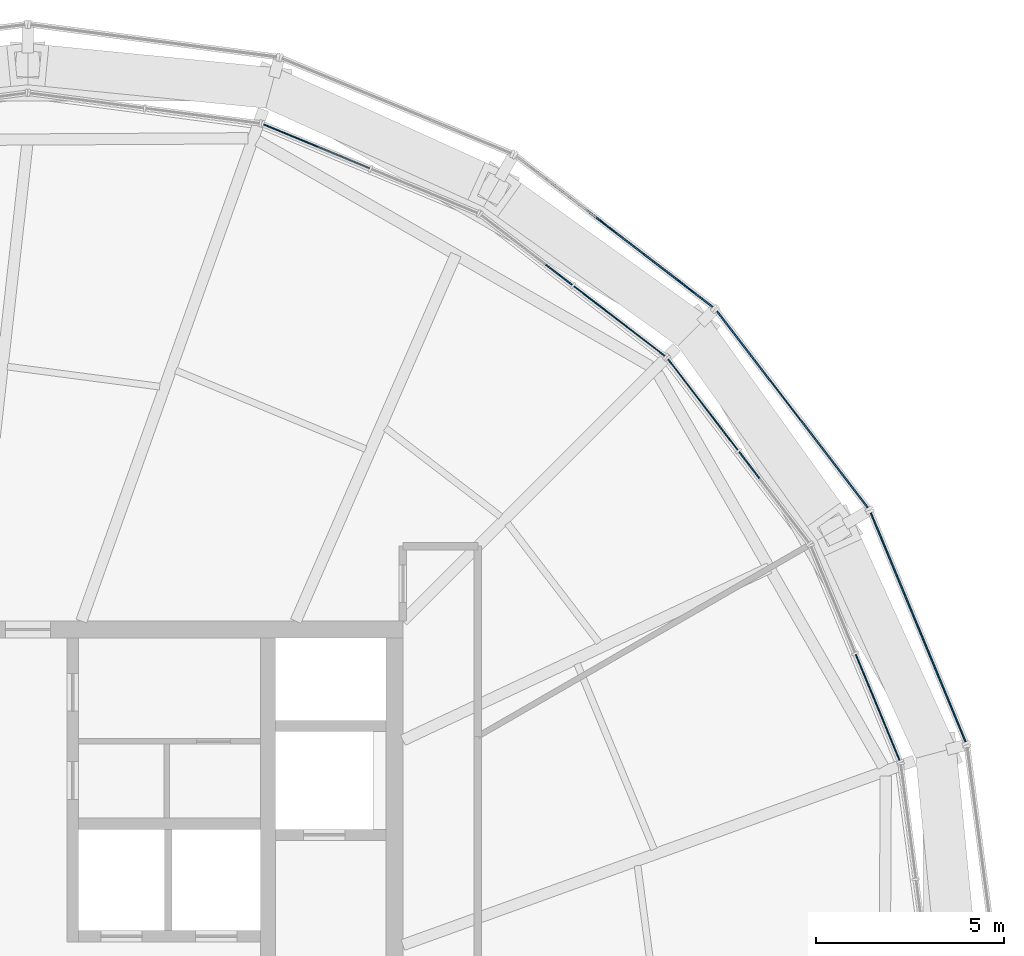
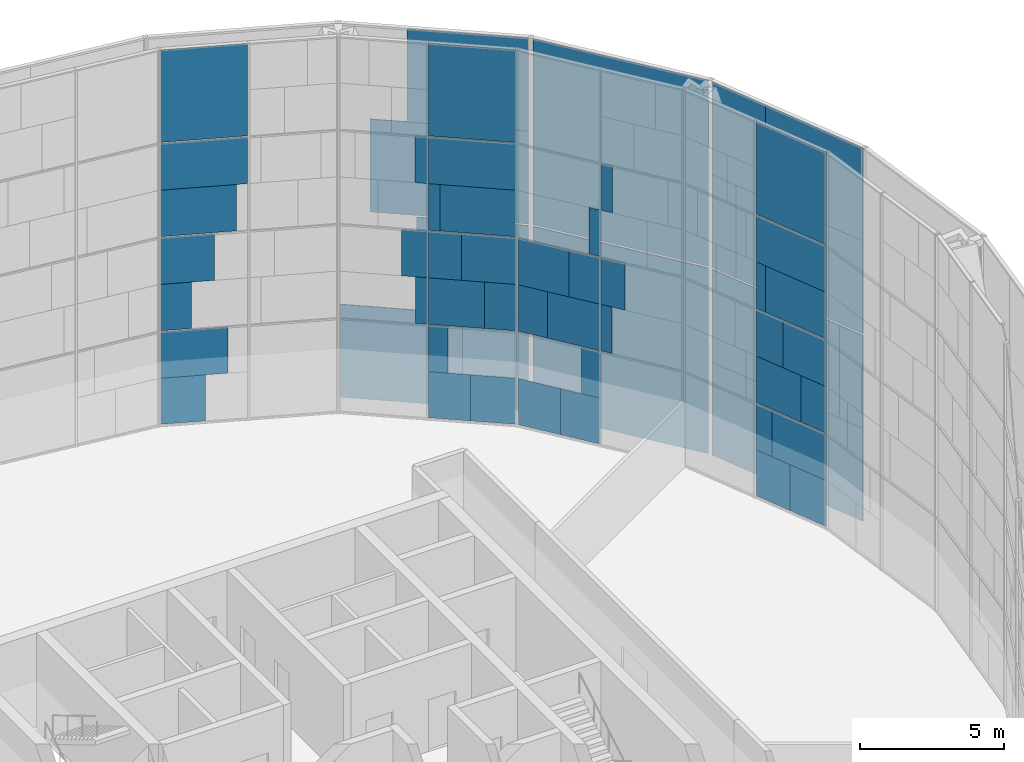
# One storey, part 25 of 30: 63 plates, 7 elements without a shape of their own.
"""IFC4 building model written with IfcOpenShell, lengths in metres."""

from ifc_helpers import new_model, si_unit, direction, frame, origin, origin_2d, place, context, subcontext, project, spatial, rectangle, extrude, material, layer, layer_set, type_object, element, aggregate, save


model = new_model("IFC4")

# Units and contexts
model_context = context("Model", 3, precision=1e-05, world=origin(), true_north=direction((0.0, 1.0)))
body_context = subcontext(model_context, "Body", "Model", "MODEL_VIEW")
ifc_project = project(units=[si_unit("LENGTHUNIT", "METRE"), si_unit("AREAUNIT", "SQUARE_METRE"), si_unit("VOLUMEUNIT", "CUBIC_METRE"), si_unit("PLANEANGLEUNIT", "RADIAN"), si_unit("MASSUNIT", "GRAM", prefix="KILO")], contexts=[model_context])

# Site, building, storey
site_placement = place(None, origin())
site = spatial("IfcSite", under=ifc_project, at=site_placement, CompositionType="ELEMENT")
building_placement = place(site_placement, origin())
building = spatial("IfcBuilding", under=site, at=building_placement, Name="Golbaran Civic Tower", CompositionType="ELEMENT")
storey_placement = place(building_placement, frame((0.0, 0.0, 167.0)))
storey = spatial("IfcBuildingStorey", under=building, at=storey_placement, Name="L40", CompositionType="ELEMENT", Elevation=167.0)

# Curtain wall, plates
ifc_material_1 = material(Name="Aluminium and glass", Category="aluminium")
curtain_wall_type_1 = type_object("IfcCurtainWallType", Name="INNER SKIN CURTAIN WALL EXECUTIVE", PredefinedType="NOTDEFINED", material=ifc_material_1)
curtain_wall_1_placement = place(storey_placement, origin())
curtain_wall_1 = element("IfcCurtainWall", 1, at=curtain_wall_1_placement, inside=storey, type_object=curtain_wall_type_1, Name="Inner skin L40 facet 2 CW2", ObjectType="INNER SKIN", PredefinedType="USERDEFINED")
ifc_material_2 = material(Name="Clear insulating glass", Category="glass")
ifc_layer_1 = layer(ifc_material_2, 0.031982421875, Name="Clear insulating glass")
ifc_layer_set_1 = layer_set([ifc_layer_1], Name="Clear insulating glass")
plate_type_1 = type_object("IfcPlateType", Name="INNER SKIN CURTAIN WALL EXECUTIVE GLAZED PANEL", PredefinedType="CURTAIN_PANEL", material=ifc_layer_set_1)
plate_1_placement = place(storey_placement, frame((22.35400390625, 8.42626953125, 0.06005859375), z_axis=(0.0, 0.0, 1.0), x_axis=(-0.382683432462, 0.923879532471, 0.0)))
plate_1 = element("IfcPlate", 2, at=plate_1_placement, type_object=plate_type_1, Name="CW2 panel 1.1 part 2", PredefinedType="CURTAIN_PANEL", context=body_context, shape_type="SweptSolid", body=[
    extrude(rectangle(XDim=1.4794921875, YDim=0.031982421875, at=origin_2d()), origin(), (0.0, 0.0, 1.0), 1.955078125),
])
plate_2_placement = place(storey_placement, frame((22.20166015625, 8.7939453125, 2.014892578125), z_axis=(0.0, 0.0, 1.0), x_axis=(-0.382683432462, 0.923879532471, 0.0)))
plate_2 = element("IfcPlate", 3, at=plate_2_placement, type_object=plate_type_1, Name="CW2 panel 1.1 part 4", PredefinedType="CURTAIN_PANEL", context=body_context, shape_type="SweptSolid", body=[
    extrude(rectangle(XDim=0.683349609375, YDim=0.031982421875, at=origin_2d()), origin(), (0.0, 0.0, 1.0), 1.955078125),
])
plate_3_placement = place(storey_placement, frame((23.03076171875, 6.7919921875, 4.02978515625), z_axis=(0.0, 0.0, 1.0), x_axis=(-0.382683432462, 0.923879532471, 0.0)))
plate_3 = element("IfcPlate", 4, at=plate_3_placement, type_object=plate_type_1, Name="CW2 panel 1.2 part 1", PredefinedType="CURTAIN_PANEL", context=body_context, shape_type="SweptSolid", body=[
    extrude(rectangle(XDim=1.090087890625, YDim=0.031982421875, at=origin_2d()), origin(), (0.0, 0.0, 1.0), 1.969970703125),
])
plate_4_placement = place(storey_placement, frame((22.87744140625, 7.16259765625, 6.0), z_axis=(0.0, 0.0, 1.0), x_axis=(-0.382683432462, 0.923879532471, 0.0)))
plate_4 = element("IfcPlate", 5, at=plate_4_placement, type_object=plate_type_1, Name="CW2 panel 1.2 part 3", PredefinedType="CURTAIN_PANEL", context=body_context, shape_type="SweptSolid", body=[
    extrude(rectangle(XDim=1.89208984375, YDim=0.031982421875, at=origin_2d()), origin(), (0.0, 0.0, 1.0), 1.969970703125),
])
plate_5_placement = place(storey_placement, frame((22.73193359375, 7.513671875, 8.02978515625), z_axis=(0.0, 0.0, 1.0), x_axis=(-0.382683432462, 0.923879532471, 0.0)))
plate_5 = element("IfcPlate", 6, at=plate_5_placement, type_object=plate_type_1, Name="CW2 panel 1.3 part 1", PredefinedType="CURTAIN_PANEL", context=body_context, shape_type="SweptSolid", body=[
    extrude(rectangle(XDim=2.652099609375, YDim=0.031982421875, at=origin_2d()), origin(), (0.0, 0.0, 1.0), 1.969970703125),
])
plate_6_placement = place(storey_placement, frame((22.6552734375, 7.698974609375, 10.0), z_axis=(0.0, 0.0, 1.0), x_axis=(-0.382683432462, 0.923879532471, 0.0)))
plate_6 = element("IfcPlate", 7, at=plate_6_placement, type_object=plate_type_1, Name="CW2 panel 1.3 part 3", PredefinedType="CURTAIN_PANEL", context=body_context, shape_type="SweptSolid", body=[
    extrude(rectangle(XDim=3.053466796875, YDim=0.031982421875, at=origin_2d()), origin(), (0.0, 0.0, 1.0), 1.969970703125),
])
plate_7_placement = place(storey_placement, frame((22.6552734375, 7.698974609375, 12.0302734375), z_axis=(0.0, 0.0, 1.0), x_axis=(-0.382683432462, 0.923879532471, 0.0)))
plate_7 = element("IfcPlate", 8, at=plate_7_placement, type_object=plate_type_1, Name="CW2 panel 1.4", PredefinedType="CURTAIN_PANEL", context=body_context, shape_type="SweptSolid", body=[
    extrude(rectangle(XDim=3.053466796875, YDim=0.031982421875, at=origin_2d()), origin(), (0.0, 0.0, 1.0), 3.909912109375),
])

curtain_wall_2_placement = place(storey_placement, origin())
curtain_wall_2 = element("IfcCurtainWall", 9, at=curtain_wall_2_placement, inside=storey, type_object=curtain_wall_type_1, Name="Inner skin L40 facet 3 CW2", ObjectType="INNER SKIN", PredefinedType="USERDEFINED")
plate_8_placement = place(storey_placement, frame((19.085205078125, 14.349853515625, 10.0), z_axis=(0.0, 0.0, 1.0), x_axis=(-0.608761429036, 0.79335334027, 0.0)))
plate_8 = element("IfcPlate", 10, at=plate_8_placement, type_object=plate_type_1, Name="CW2 panel 1.3 part 5", PredefinedType="CURTAIN_PANEL", context=body_context, shape_type="SweptSolid", body=[
    extrude(rectangle(XDim=0.407470703125, YDim=0.031982421875, at=origin_2d()), origin(), (0.0, 0.0, 1.0), 1.969970703125),
])
plate_9_placement = place(storey_placement, frame((18.47412109375, 15.146240234375, 0.06005859375), z_axis=(0.0, 0.0, 1.0), x_axis=(-0.608761429036, 0.79335334027, 0.0)))
plate_9 = element("IfcPlate", 11, at=plate_9_placement, type_object=plate_type_1, Name="CW2 panel 2.1 part 1", PredefinedType="CURTAIN_PANEL", context=body_context, shape_type="SweptSolid", body=[
    extrude(rectangle(XDim=1.47998046875, YDim=0.031982421875, at=origin_2d()), origin(), (0.0, 0.0, 1.0), 1.955078125),
])
plate_10_placement = place(storey_placement, frame((18.71630859375, 14.83056640625, 2.014892578125), z_axis=(0.0, 0.0, 1.0), x_axis=(-0.608761429036, 0.79335334027, 0.0)))
plate_10 = element("IfcPlate", 12, at=plate_10_placement, type_object=plate_type_1, Name="CW2 panel 2.1 part 3", PredefinedType="CURTAIN_PANEL", context=body_context, shape_type="SweptSolid", body=[
    extrude(rectangle(XDim=0.68408203125, YDim=0.031982421875, at=origin_2d()), origin(), (0.0, 0.0, 1.0), 1.955078125),
])
plate_11_placement = place(storey_placement, frame((17.3974609375, 16.549560546875, 4.02978515625), z_axis=(0.0, 0.0, 1.0), x_axis=(-0.608761429036, 0.79335334027, 0.0)))
plate_11 = element("IfcPlate", 13, at=plate_11_placement, type_object=plate_type_1, Name="CW2 panel 2.2 part 2", PredefinedType="CURTAIN_PANEL", context=body_context, shape_type="SweptSolid", body=[
    extrude(rectangle(XDim=1.08935546875, YDim=0.031982421875, at=origin_2d()), origin(), (0.0, 0.0, 1.0), 1.969970703125),
])
plate_12_placement = place(storey_placement, frame((17.641845703125, 16.23095703125, 6.0), z_axis=(0.0, 0.0, 1.0), x_axis=(-0.608761429036, 0.79335334027, 0.0)))
plate_12 = element("IfcPlate", 14, at=plate_12_placement, type_object=plate_type_1, Name="CW2 panel 2.2 part 4", PredefinedType="CURTAIN_PANEL", context=body_context, shape_type="SweptSolid", body=[
    extrude(rectangle(XDim=1.892578125, YDim=0.031982421875, at=origin_2d()), origin(), (0.0, 0.0, 1.0), 1.969970703125),
])

curtain_wall_3_placement = place(storey_placement, origin())
curtain_wall_3 = element("IfcCurtainWall", 15, at=curtain_wall_3_placement, inside=storey, type_object=curtain_wall_type_1, Name="Inner skin L40 facet 4 CW2", ObjectType="INNER SKIN", PredefinedType="USERDEFINED")
plate_13_placement = place(storey_placement, frame((15.14599609375, 18.474365234375, 0.06005859375), z_axis=(0.0, 0.0, 1.0), x_axis=(-0.79335334027, 0.608761429036, 0.0)))
plate_13 = element("IfcPlate", 16, at=plate_13_placement, type_object=plate_type_1, Name="CW2 panel 1.1 part 2", PredefinedType="CURTAIN_PANEL", context=body_context, shape_type="SweptSolid", body=[
    extrude(rectangle(XDim=1.4794921875, YDim=0.031982421875, at=origin_2d()), origin(), (0.0, 0.0, 1.0), 1.955078125),
])
plate_14_placement = place(storey_placement, frame((14.830322265625, 18.716552734375, 2.014892578125), z_axis=(0.0, 0.0, 1.0), x_axis=(-0.79335334027, 0.608761429036, 0.0)))
plate_14 = element("IfcPlate", 17, at=plate_14_placement, type_object=plate_type_1, Name="CW2 panel 1.1 part 4", PredefinedType="CURTAIN_PANEL", context=body_context, shape_type="SweptSolid", body=[
    extrude(rectangle(XDim=0.683349609375, YDim=0.031982421875, at=origin_2d()), origin(), (0.0, 0.0, 1.0), 1.955078125),
])
plate_15_placement = place(storey_placement, frame((16.54931640625, 17.3974609375, 4.02978515625), z_axis=(0.0, 0.0, 1.0), x_axis=(-0.79335334027, 0.608761429036, 0.0)))
plate_15 = element("IfcPlate", 18, at=plate_15_placement, type_object=plate_type_1, Name="CW2 panel 1.2 part 1", PredefinedType="CURTAIN_PANEL", context=body_context, shape_type="SweptSolid", body=[
    extrude(rectangle(XDim=1.090087890625, YDim=0.031982421875, at=origin_2d()), origin(), (0.0, 0.0, 1.0), 1.969970703125),
])
plate_16_placement = place(storey_placement, frame((16.231201171875, 17.6416015625, 6.0), z_axis=(0.0, 0.0, 1.0), x_axis=(-0.79335334027, 0.608761429036, 0.0)))
plate_16 = element("IfcPlate", 19, at=plate_16_placement, type_object=plate_type_1, Name="CW2 panel 1.2 part 3", PredefinedType="CURTAIN_PANEL", context=body_context, shape_type="SweptSolid", body=[
    extrude(rectangle(XDim=1.89208984375, YDim=0.031982421875, at=origin_2d()), origin(), (0.0, 0.0, 1.0), 1.969970703125),
])
plate_17_placement = place(storey_placement, frame((15.9296875, 17.873046875, 8.02978515625), z_axis=(0.0, 0.0, 1.0), x_axis=(-0.79335334027, 0.608761429036, 0.0)))
plate_17 = element("IfcPlate", 20, at=plate_17_placement, type_object=plate_type_1, Name="CW2 panel 1.3 part 1", PredefinedType="CURTAIN_PANEL", context=body_context, shape_type="SweptSolid", body=[
    extrude(rectangle(XDim=2.652099609375, YDim=0.031982421875, at=origin_2d()), origin(), (0.0, 0.0, 1.0), 1.969970703125),
])
plate_18_placement = place(storey_placement, frame((15.7705078125, 17.9951171875, 10.0), z_axis=(0.0, 0.0, 1.0), x_axis=(-0.79335334027, 0.608761429036, 0.0)))
plate_18 = element("IfcPlate", 21, at=plate_18_placement, type_object=plate_type_1, Name="CW2 panel 1.3 part 3", PredefinedType="CURTAIN_PANEL", context=body_context, shape_type="SweptSolid", body=[
    extrude(rectangle(XDim=3.053466796875, YDim=0.031982421875, at=origin_2d()), origin(), (0.0, 0.0, 1.0), 1.969970703125),
])
plate_19_placement = place(storey_placement, frame((15.7705078125, 17.9951171875, 12.0302734375), z_axis=(0.0, 0.0, 1.0), x_axis=(-0.79335334027, 0.608761429036, 0.0)))
plate_19 = element("IfcPlate", 22, at=plate_19_placement, type_object=plate_type_1, Name="CW2 panel 1.4", PredefinedType="CURTAIN_PANEL", context=body_context, shape_type="SweptSolid", body=[
    extrude(rectangle(XDim=3.053466796875, YDim=0.031982421875, at=origin_2d()), origin(), (0.0, 0.0, 1.0), 3.909912109375),
])
plate_20_placement = place(storey_placement, frame((14.35009765625, 19.0849609375, 10.0), z_axis=(0.0, 0.0, 1.0), x_axis=(-0.79335334027, 0.608761429036, 0.0)))
plate_20 = element("IfcPlate", 23, at=plate_20_placement, type_object=plate_type_1, Name="CW2 panel 2.3 part 3", PredefinedType="CURTAIN_PANEL", context=body_context, shape_type="SweptSolid", body=[
    extrude(rectangle(XDim=0.406982421875, YDim=0.031982421875, at=origin_2d()), origin(), (0.0, 0.0, 1.0), 1.969970703125),
])

curtain_wall_4_placement = place(storey_placement, origin())
curtain_wall_4 = element("IfcCurtainWall", 24, at=curtain_wall_4_placement, inside=storey, type_object=curtain_wall_type_1, Name="Inner skin L40 facet 5 CW2", ObjectType="INNER SKIN", PredefinedType="USERDEFINED")
plate_21_placement = place(storey_placement, frame((6.791748046875, 23.031005859375, 4.02978515625), z_axis=(0.0, 0.0, 1.0), x_axis=(-0.923879532471, 0.382683432462, 0.0)))
plate_21 = element("IfcPlate", 25, at=plate_21_placement, type_object=plate_type_1, Name="CW2 panel 2.2 part 2", PredefinedType="CURTAIN_PANEL", context=body_context, shape_type="SweptSolid", body=[
    extrude(rectangle(XDim=1.08935546875, YDim=0.031982421875, at=origin_2d()), origin(), (0.0, 0.0, 1.0), 1.969970703125),
])
plate_22_placement = place(storey_placement, frame((7.162841796875, 22.87744140625, 6.0), z_axis=(0.0, 0.0, 1.0), x_axis=(-0.923879532471, 0.382683432462, 0.0)))
plate_22 = element("IfcPlate", 26, at=plate_22_placement, type_object=plate_type_1, Name="CW2 panel 2.2 part 4", PredefinedType="CURTAIN_PANEL", context=body_context, shape_type="SweptSolid", body=[
    extrude(rectangle(XDim=1.892578125, YDim=0.031982421875, at=origin_2d()), origin(), (0.0, 0.0, 1.0), 1.969970703125),
])
plate_23_placement = place(storey_placement, frame((7.513916015625, 22.73193359375, 8.02978515625), z_axis=(0.0, 0.0, 1.0), x_axis=(-0.923879532471, 0.382683432462, 0.0)))
plate_23 = element("IfcPlate", 27, at=plate_23_placement, type_object=plate_type_1, Name="CW2 panel 2.3 part 2", PredefinedType="CURTAIN_PANEL", context=body_context, shape_type="SweptSolid", body=[
    extrude(rectangle(XDim=2.65234375, YDim=0.031982421875, at=origin_2d()), origin(), (0.0, 0.0, 1.0), 1.969970703125),
])
plate_24_placement = place(storey_placement, frame((7.698974609375, 22.6552734375, 10.0), z_axis=(0.0, 0.0, 1.0), x_axis=(-0.923879532471, 0.382683432462, 0.0)))
plate_24 = element("IfcPlate", 28, at=plate_24_placement, type_object=plate_type_1, Name="CW2 panel 2.3 part 3", PredefinedType="CURTAIN_PANEL", context=body_context, shape_type="SweptSolid", body=[
    extrude(rectangle(XDim=3.053466796875, YDim=0.031982421875, at=origin_2d()), origin(), (0.0, 0.0, 1.0), 1.969970703125),
])
plate_25_placement = place(storey_placement, frame((7.698974609375, 22.6552734375, 12.0302734375), z_axis=(0.0, 0.0, 1.0), x_axis=(-0.923879532471, 0.382683432462, 0.0)))
plate_25 = element("IfcPlate", 29, at=plate_25_placement, type_object=plate_type_1, Name="CW2 panel 2.4", PredefinedType="CURTAIN_PANEL", context=body_context, shape_type="SweptSolid", body=[
    extrude(rectangle(XDim=3.053466796875, YDim=0.031982421875, at=origin_2d()), origin(), (0.0, 0.0, 1.0), 3.909912109375),
])

# Plate
ifc_material_3 = material(Name="Aluminium faced opaque infill panel", Category="aluminium")
ifc_layer_2 = layer(ifc_material_3, 0.031982421875, Name="Aluminium faced opaque infill panel")
ifc_layer_set_2 = layer_set([ifc_layer_2], Name="Aluminium faced opaque infill panel")
plate_type_2 = type_object("IfcPlateType", Name="INNER SKIN CURTAIN WALL EXECUTIVE OPAQUE INFILL PANEL", PredefinedType="CURTAIN_PANEL", material=ifc_layer_set_2)
plate_26_placement = place(storey_placement, frame((22.938232421875, 7.015625, 0.06005859375), z_axis=(0.0, 0.0, 1.0), x_axis=(-0.382683432462, 0.923879532471, 0.0)))
plate_26 = element("IfcPlate", 30, at=plate_26_placement, type_object=plate_type_2, Name="CW2 infill panel 1.1 part 1", PredefinedType="CURTAIN_PANEL", context=body_context, shape_type="SweptSolid", body=[
    extrude(rectangle(XDim=1.573974609375, YDim=0.031982421875, at=origin_2d()), origin(), (0.0, 0.0, 1.0), 1.955078125),
])

plate_27_placement = place(storey_placement, frame((22.785888671875, 7.38330078125, 2.014892578125), z_axis=(0.0, 0.0, 1.0), x_axis=(-0.382683432462, 0.923879532471, 0.0)))
plate_27 = element("IfcPlate", 31, at=plate_27_placement, type_object=plate_type_2, Name="CW2 infill panel 1.1 part 3", PredefinedType="CURTAIN_PANEL", context=body_context, shape_type="SweptSolid", body=[
    extrude(rectangle(XDim=2.3701171875, YDim=0.031982421875, at=origin_2d()), origin(), (0.0, 0.0, 1.0), 1.955078125),
])

plate_28_placement = place(storey_placement, frame((22.446533203125, 8.20263671875, 4.02978515625), z_axis=(0.0, 0.0, 1.0), x_axis=(-0.382683432462, 0.923879532471, 0.0)))
plate_28 = element("IfcPlate", 32, at=plate_28_placement, type_object=plate_type_2, Name="CW2 infill panel 1.2 part 2", PredefinedType="CURTAIN_PANEL", context=body_context, shape_type="SweptSolid", body=[
    extrude(rectangle(XDim=1.96337890625, YDim=0.031982421875, at=origin_2d()), origin(), (0.0, 0.0, 1.0), 1.969970703125),
])

plate_29_placement = place(storey_placement, frame((22.293212890625, 8.572998046875, 6.0), z_axis=(0.0, 0.0, 1.0), x_axis=(-0.382683432462, 0.923879532471, 0.0)))
plate_29 = element("IfcPlate", 33, at=plate_29_placement, type_object=plate_type_2, Name="CW2 infill panel 1.2 part 4", PredefinedType="CURTAIN_PANEL", context=body_context, shape_type="SweptSolid", body=[
    extrude(rectangle(XDim=1.161376953125, YDim=0.031982421875, at=origin_2d()), origin(), (0.0, 0.0, 1.0), 1.969970703125),
])

plate_30_placement = place(storey_placement, frame((22.147705078125, 8.924072265625, 8.02978515625), z_axis=(0.0, 0.0, 1.0), x_axis=(-0.382683432462, 0.923879532471, 0.0)))
plate_30 = element("IfcPlate", 34, at=plate_30_placement, type_object=plate_type_2, Name="CW2 infill panel 1.3 part 2", PredefinedType="CURTAIN_PANEL", context=body_context, shape_type="SweptSolid", body=[
    extrude(rectangle(XDim=0.4013671875, YDim=0.031982421875, at=origin_2d()), origin(), (0.0, 0.0, 1.0), 1.969970703125),
])

aggregate(curtain_wall_1, [plate_26, plate_1, plate_27, plate_2, plate_3, plate_28, plate_4, plate_29, plate_5, plate_30, plate_6, plate_7])

plate_31_placement = place(storey_placement, frame((19.083251953125, 14.352294921875, 4.02978515625), z_axis=(0.0, 0.0, 1.0), x_axis=(-0.608761429036, 0.79335334027, 0.0)))
plate_31 = element("IfcPlate", 35, at=plate_31_placement, type_object=plate_type_2, Name="CW2 infill panel 1.2 part 2", PredefinedType="CURTAIN_PANEL", context=body_context, shape_type="SweptSolid", body=[
    extrude(rectangle(XDim=0.4013671875, YDim=0.031982421875, at=origin_2d()), origin(), (0.0, 0.0, 1.0), 1.969970703125),
])

plate_32_placement = place(storey_placement, frame((19.23046875, 14.16064453125, 6.0), z_axis=(0.0, 0.0, 1.0), x_axis=(-0.608761429036, 0.79335334027, 0.0)))
plate_32 = element("IfcPlate", 36, at=plate_32_placement, type_object=plate_type_2, Name="CW2 infill panel 1.2 part 4", PredefinedType="CURTAIN_PANEL", context=body_context, shape_type="SweptSolid", body=[
    extrude(rectangle(XDim=0.884521484375, YDim=0.031982421875, at=origin_2d()), origin(), (0.0, 0.0, 1.0), 1.969970703125),
])

plate_33_placement = place(storey_placement, frame((17.544677734375, 16.357421875, 0.06005859375), z_axis=(0.0, 0.0, 1.0), x_axis=(-0.608761429036, 0.79335334027, 0.0)))
plate_33 = element("IfcPlate", 37, at=plate_33_placement, type_object=plate_type_2, Name="CW2 infill panel 2.1 part 2", PredefinedType="CURTAIN_PANEL", context=body_context, shape_type="SweptSolid", body=[
    extrude(rectangle(XDim=1.573486328125, YDim=0.031982421875, at=origin_2d()), origin(), (0.0, 0.0, 1.0), 1.955078125),
])

plate_34_placement = place(storey_placement, frame((18.326904296875, 15.338134765625, 4.02978515625), z_axis=(0.0, 0.0, 1.0), x_axis=(-0.608761429036, 0.79335334027, 0.0)))
plate_34 = element("IfcPlate", 38, at=plate_34_placement, type_object=plate_type_2, Name="CW2 infill panel 2.2 part 1", PredefinedType="CURTAIN_PANEL", context=body_context, shape_type="SweptSolid", body=[
    extrude(rectangle(XDim=1.964111328125, YDim=0.031982421875, at=origin_2d()), origin(), (0.0, 0.0, 1.0), 1.969970703125),
])

plate_35_placement = place(storey_placement, frame((18.5712890625, 15.019775390625, 6.0), z_axis=(0.0, 0.0, 1.0), x_axis=(-0.608761429036, 0.79335334027, 0.0)))
plate_35 = element("IfcPlate", 39, at=plate_35_placement, type_object=plate_type_2, Name="CW2 infill panel 2.2 part 3", PredefinedType="CURTAIN_PANEL", context=body_context, shape_type="SweptSolid", body=[
    extrude(rectangle(XDim=1.160888671875, YDim=0.031982421875, at=origin_2d()), origin(), (0.0, 0.0, 1.0), 1.969970703125),
])

plate_36_placement = place(storey_placement, frame((18.802490234375, 14.71826171875, 8.02978515625), z_axis=(0.0, 0.0, 1.0), x_axis=(-0.608761429036, 0.79335334027, 0.0)))
plate_36 = element("IfcPlate", 40, at=plate_36_placement, type_object=plate_type_2, Name="CW2 infill panel 2.3 part 1", PredefinedType="CURTAIN_PANEL", context=body_context, shape_type="SweptSolid", body=[
    extrude(rectangle(XDim=0.40087890625, YDim=0.031982421875, at=origin_2d()), origin(), (0.0, 0.0, 1.0), 1.969970703125),
])

aggregate(curtain_wall_2, [plate_31, plate_32, plate_8, plate_9, plate_33, plate_10, plate_34, plate_11, plate_35, plate_12, plate_36])

plate_37_placement = place(storey_placement, frame((16.357177734375, 17.544921875, 0.06005859375), z_axis=(0.0, 0.0, 1.0), x_axis=(-0.79335334027, 0.608761429036, 0.0)))
plate_37 = element("IfcPlate", 41, at=plate_37_placement, type_object=plate_type_2, Name="CW2 infill panel 1.1 part 1", PredefinedType="CURTAIN_PANEL", context=body_context, shape_type="SweptSolid", body=[
    extrude(rectangle(XDim=1.573974609375, YDim=0.031982421875, at=origin_2d()), origin(), (0.0, 0.0, 1.0), 1.955078125),
])

plate_38_placement = place(storey_placement, frame((15.338134765625, 18.326904296875, 4.02978515625), z_axis=(0.0, 0.0, 1.0), x_axis=(-0.79335334027, 0.608761429036, 0.0)))
plate_38 = element("IfcPlate", 42, at=plate_38_placement, type_object=plate_type_2, Name="CW2 infill panel 1.2 part 2", PredefinedType="CURTAIN_PANEL", context=body_context, shape_type="SweptSolid", body=[
    extrude(rectangle(XDim=1.96337890625, YDim=0.031982421875, at=origin_2d()), origin(), (0.0, 0.0, 1.0), 1.969970703125),
])

plate_39_placement = place(storey_placement, frame((15.02001953125, 18.571044921875, 6.0), z_axis=(0.0, 0.0, 1.0), x_axis=(-0.79335334027, 0.608761429036, 0.0)))
plate_39 = element("IfcPlate", 43, at=plate_39_placement, type_object=plate_type_2, Name="CW2 infill panel 1.2 part 4", PredefinedType="CURTAIN_PANEL", context=body_context, shape_type="SweptSolid", body=[
    extrude(rectangle(XDim=1.161376953125, YDim=0.031982421875, at=origin_2d()), origin(), (0.0, 0.0, 1.0), 1.969970703125),
])

plate_40_placement = place(storey_placement, frame((14.718505859375, 18.802490234375, 8.02978515625), z_axis=(0.0, 0.0, 1.0), x_axis=(-0.79335334027, 0.608761429036, 0.0)))
plate_40 = element("IfcPlate", 44, at=plate_40_placement, type_object=plate_type_2, Name="CW2 infill panel 1.3 part 2", PredefinedType="CURTAIN_PANEL", context=body_context, shape_type="SweptSolid", body=[
    extrude(rectangle(XDim=0.4013671875, YDim=0.031982421875, at=origin_2d()), origin(), (0.0, 0.0, 1.0), 1.969970703125),
])

plate_41_placement = place(storey_placement, frame((14.3525390625, 19.083251953125, 4.02978515625), z_axis=(0.0, 0.0, 1.0), x_axis=(-0.79335334027, 0.608761429036, 0.0)))
plate_41 = element("IfcPlate", 45, at=plate_41_placement, type_object=plate_type_2, Name="CW2 infill panel 2.2 part 1", PredefinedType="CURTAIN_PANEL", context=body_context, shape_type="SweptSolid", body=[
    extrude(rectangle(XDim=0.40087890625, YDim=0.031982421875, at=origin_2d()), origin(), (0.0, 0.0, 1.0), 1.969970703125),
])

plate_42_placement = place(storey_placement, frame((14.160400390625, 19.23046875, 6.0), z_axis=(0.0, 0.0, 1.0), x_axis=(-0.79335334027, 0.608761429036, 0.0)))
plate_42 = element("IfcPlate", 46, at=plate_42_placement, type_object=plate_type_2, Name="CW2 infill panel 2.2 part 3", PredefinedType="CURTAIN_PANEL", context=body_context, shape_type="SweptSolid", body=[
    extrude(rectangle(XDim=0.885009765625, YDim=0.031982421875, at=origin_2d()), origin(), (0.0, 0.0, 1.0), 1.969970703125),
])

aggregate(curtain_wall_3, [plate_37, plate_13, plate_14, plate_15, plate_38, plate_16, plate_39, plate_17, plate_40, plate_18, plate_19, plate_41, plate_42, plate_20])

plate_43_placement = place(storey_placement, frame((7.015380859375, 22.9384765625, 0.06005859375), z_axis=(0.0, 0.0, 1.0), x_axis=(-0.923879532471, 0.382683432462, 0.0)))
plate_43 = element("IfcPlate", 47, at=plate_43_placement, type_object=plate_type_2, Name="CW2 infill panel 2.1 part 2", PredefinedType="CURTAIN_PANEL", context=body_context, shape_type="SweptSolid", body=[
    extrude(rectangle(XDim=1.573486328125, YDim=0.031982421875, at=origin_2d()), origin(), (0.0, 0.0, 1.0), 1.955078125),
])

plate_44_placement = place(storey_placement, frame((7.383056640625, 22.7861328125, 2.014892578125), z_axis=(0.0, 0.0, 1.0), x_axis=(-0.923879532471, 0.382683432462, 0.0)))
plate_44 = element("IfcPlate", 48, at=plate_44_placement, type_object=plate_type_2, Name="CW2 infill panel 2.1 part 4", PredefinedType="CURTAIN_PANEL", context=body_context, shape_type="SweptSolid", body=[
    extrude(rectangle(XDim=2.369384765625, YDim=0.031982421875, at=origin_2d()), origin(), (0.0, 0.0, 1.0), 1.955078125),
])

aggregate(curtain_wall_4, [plate_43, plate_44, plate_21, plate_22, plate_23, plate_24, plate_25])

# Curtain wall, plates
curtain_wall_type_2 = type_object("IfcCurtainWallType", Name="OUTER SKIN TERRACOTTA SCREEN", PredefinedType="NOTDEFINED", material=ifc_material_1)
curtain_wall_5_placement = place(storey_placement, origin())
curtain_wall_5 = element("IfcCurtainWall", 49, at=curtain_wall_5_placement, inside=storey, type_object=curtain_wall_type_2, Name="Outer skin L40 facet 2 CW3", ObjectType="OUTER SKIN", PredefinedType="USERDEFINED")
ifc_material_4 = material(Name="Clear laminated glass", Category="glass")
ifc_layer_3 = layer(ifc_material_4, 0.0400390625, Name="Clear laminated glass")
ifc_layer_set_3 = layer_set([ifc_layer_3], Name="Clear laminated glass")
plate_type_3 = type_object("IfcPlateType", Name="OUTER SKIN CLEAR GLASS PANEL", PredefinedType="CURTAIN_PANEL", material=ifc_layer_set_3)
plate_45_placement = place(storey_placement, frame((23.291748046875, 10.9033203125, -0.6298828125), z_axis=(0.0, 0.0, 1.0), x_axis=(-0.382683432462, 0.923879532471, 0.0)))
plate_45 = element("IfcPlate", 50, at=plate_45_placement, type_object=plate_type_3, Name="CW3 panel 1.1 part 2", PredefinedType="CURTAIN_PANEL", context=body_context, shape_type="SweptSolid", body=[
    extrude(rectangle(XDim=4.28466796875, YDim=0.0400390625, at=origin_2d()), origin(), (0.0, 0.0, 1.0), 3.93994140625),
])
plate_46_placement = place(storey_placement, frame((24.804931640625, 7.25, 3.31005859375), z_axis=(0.0, 0.0, 1.0), x_axis=(-0.382683432462, 0.923879532471, 0.0)))
plate_46 = element("IfcPlate", 51, at=plate_46_placement, type_object=plate_type_3, Name="CW3 panel 1.1 part 3", PredefinedType="CURTAIN_PANEL", context=body_context, shape_type="SweptSolid", body=[
    extrude(rectangle(XDim=1.01611328125, YDim=0.0400390625, at=origin_2d()), origin(), (0.0, 0.0, 1.0), 3.93994140625),
])
plate_47_placement = place(storey_placement, frame((22.98486328125, 11.644287109375, 3.31005859375), z_axis=(0.0, 0.0, 1.0), x_axis=(-0.382683432462, 0.923879532471, 0.0)))
plate_47 = element("IfcPlate", 52, at=plate_47_placement, type_object=plate_type_3, Name="CW3 panel 1.1 part 5", PredefinedType="CURTAIN_PANEL", context=body_context, shape_type="SweptSolid", body=[
    extrude(rectangle(XDim=2.6806640625, YDim=0.0400390625, at=origin_2d()), origin(), (0.0, 0.0, 1.0), 3.93994140625),
])
plate_48_placement = place(storey_placement, frame((24.491943359375, 8.005859375, 7.330078125), z_axis=(0.0, 0.0, 1.0), x_axis=(-0.382683432462, 0.923879532471, 0.0)))
plate_48 = element("IfcPlate", 53, at=plate_48_placement, type_object=plate_type_3, Name="CW3 panel 1.2 part 1", PredefinedType="CURTAIN_PANEL", context=body_context, shape_type="SweptSolid", body=[
    extrude(rectangle(XDim=2.652099609375, YDim=0.0400390625, at=origin_2d()), origin(), (0.0, 0.0, 1.0), 3.93994140625),
])
plate_49_placement = place(storey_placement, frame((22.671630859375, 12.400390625, 7.330078125), z_axis=(0.0, 0.0, 1.0), x_axis=(-0.382683432462, 0.923879532471, 0.0)))
plate_49 = element("IfcPlate", 54, at=plate_49_placement, type_object=plate_type_3, Name="CW3 panel 1.2 part 3", PredefinedType="CURTAIN_PANEL", context=body_context, shape_type="SweptSolid", body=[
    extrude(rectangle(XDim=1.043701171875, YDim=0.0400390625, at=origin_2d()), origin(), (0.0, 0.0, 1.0), 3.93994140625),
])
plate_50_placement = place(storey_placement, frame((24.1845703125, 8.74755859375, 11.27001953125), z_axis=(0.0, 0.0, 1.0), x_axis=(-0.382683432462, 0.923879532471, 0.0)))
plate_50 = element("IfcPlate", 55, at=plate_50_placement, type_object=plate_type_3, Name="CW3 panel 1.2 part 4", PredefinedType="CURTAIN_PANEL", context=body_context, shape_type="SweptSolid", body=[
    extrude(rectangle(XDim=4.258056640625, YDim=0.0400390625, at=origin_2d()), origin(), (0.0, 0.0, 1.0), 3.93994140625),
])

curtain_wall_6_placement = place(storey_placement, origin())
curtain_wall_6 = element("IfcCurtainWall", 56, at=curtain_wall_6_placement, inside=storey, type_object=curtain_wall_type_2, Name="Outer skin L40 facet 4 CW3", ObjectType="OUTER SKIN", PredefinedType="USERDEFINED")
plate_51_placement = place(storey_placement, frame((14.719482421875, 21.08837890625, -0.6298828125), z_axis=(0.0, 0.0, 1.0), x_axis=(-0.793353340323, 0.608761428967, 0.0)))
plate_51 = element("IfcPlate", 57, at=plate_51_placement, type_object=plate_type_3, Name="CW3 panel 1.1 part 2", PredefinedType="CURTAIN_PANEL", context=body_context, shape_type="SweptSolid", body=[
    extrude(rectangle(XDim=4.28466796875, YDim=0.0400390625, at=origin_2d()), origin(), (0.0, 0.0, 1.0), 3.93994140625),
])
plate_52_placement = place(storey_placement, frame((17.856689453125, 18.68115234375, 3.31005859375), z_axis=(0.0, 0.0, 1.0), x_axis=(-0.793353340323, 0.608761428967, 0.0)))
plate_52 = element("IfcPlate", 58, at=plate_52_placement, type_object=plate_type_3, Name="CW3 panel 1.1 part 3", PredefinedType="CURTAIN_PANEL", context=body_context, shape_type="SweptSolid", body=[
    extrude(rectangle(XDim=1.01611328125, YDim=0.0400390625, at=origin_2d()), origin(), (0.0, 0.0, 1.0), 3.93994140625),
])
plate_53_placement = place(storey_placement, frame((17.207763671875, 19.17919921875, 7.330078125), z_axis=(0.0, 0.0, 1.0), x_axis=(-0.793353340323, 0.608761428967, 0.0)))
plate_53 = element("IfcPlate", 59, at=plate_53_placement, type_object=plate_type_3, Name="CW3 panel 1.2 part 1", PredefinedType="CURTAIN_PANEL", context=body_context, shape_type="SweptSolid", body=[
    extrude(rectangle(XDim=2.652099609375, YDim=0.0400390625, at=origin_2d()), origin(), (0.0, 0.0, 1.0), 3.93994140625),
])
plate_54_placement = place(storey_placement, frame((16.57080078125, 19.66796875, 11.27001953125), z_axis=(0.0, 0.0, 1.0), x_axis=(-0.793353340323, 0.608761428967, 0.0)))
plate_54 = element("IfcPlate", 60, at=plate_54_placement, type_object=plate_type_3, Name="CW3 panel 1.2 part 4", PredefinedType="CURTAIN_PANEL", context=body_context, shape_type="SweptSolid", body=[
    extrude(rectangle(XDim=4.258056640625, YDim=0.0400390625, at=origin_2d()), origin(), (0.0, 0.0, 1.0), 3.93994140625),
])

# Plate
ifc_material_5 = material(Name="Terracotta baguette screen", Category="masonry")
ifc_layer_4 = layer(ifc_material_5, 0.0400390625, Name="Terracotta baguette screen")
ifc_layer_set_4 = layer_set([ifc_layer_4], Name="Terracotta baguette screen")
plate_type_4 = type_object("IfcPlateType", Name="OUTER SKIN TERRACOTTA INFILL PANEL", PredefinedType="CURTAIN_PANEL", material=ifc_layer_set_4)
plate_55_placement = place(storey_placement, frame((24.555419921875, 7.852294921875, -0.6298828125), z_axis=(0.0, 0.0, 1.0), x_axis=(-0.382683432462, 0.923879532471, 0.0)))
plate_55 = element("IfcPlate", 61, at=plate_55_placement, type_object=plate_type_4, Name="CW3 infill panel 1.1 part 1", PredefinedType="CURTAIN_PANEL", context=body_context, shape_type="SweptSolid", body=[
    extrude(rectangle(XDim=2.320068359375, YDim=0.0400390625, at=origin_2d()), origin(), (0.0, 0.0, 1.0), 3.93994140625),
])

plate_56_placement = place(storey_placement, frame((24.05419921875, 9.062744140625, 3.31005859375), z_axis=(0.0, 0.0, 1.0), x_axis=(-0.382683432462, 0.923879532471, 0.0)))
plate_56 = element("IfcPlate", 62, at=plate_56_placement, type_object=plate_type_4, Name="CW3 infill panel 1.1 part 4", PredefinedType="CURTAIN_PANEL", context=body_context, shape_type="SweptSolid", body=[
    extrude(rectangle(XDim=2.907958984375, YDim=0.0400390625, at=origin_2d()), origin(), (0.0, 0.0, 1.0), 3.93994140625),
])

plate_57_placement = place(storey_placement, frame((23.427978515625, 10.57470703125, 7.330078125), z_axis=(0.0, 0.0, 1.0), x_axis=(-0.382683432462, 0.923879532471, 0.0)))
plate_57 = element("IfcPlate", 63, at=plate_57_placement, type_object=plate_type_4, Name="CW3 infill panel 1.2 part 2", PredefinedType="CURTAIN_PANEL", context=body_context, shape_type="SweptSolid", body=[
    extrude(rectangle(XDim=2.908935546875, YDim=0.0400390625, at=origin_2d()), origin(), (0.0, 0.0, 1.0), 3.93994140625),
])

plate_58_placement = place(storey_placement, frame((22.9208984375, 11.798583984375, 11.27001953125), z_axis=(0.0, 0.0, 1.0), x_axis=(-0.382683432462, 0.923879532471, 0.0)))
plate_58 = element("IfcPlate", 64, at=plate_58_placement, type_object=plate_type_4, Name="CW3 infill panel 1.2 part 5", PredefinedType="CURTAIN_PANEL", context=body_context, shape_type="SweptSolid", body=[
    extrude(rectangle(XDim=2.3466796875, YDim=0.0400390625, at=origin_2d()), origin(), (0.0, 0.0, 1.0), 3.93994140625),
])

aggregate(curtain_wall_5, [plate_55, plate_45, plate_46, plate_56, plate_47, plate_48, plate_57, plate_49, plate_50, plate_58])

plate_59_placement = place(storey_placement, frame((17.339599609375, 19.078125, -0.6298828125), z_axis=(0.0, 0.0, 1.0), x_axis=(-0.793353340323, 0.608761428967, 0.0)))
plate_59 = element("IfcPlate", 65, at=plate_59_placement, type_object=plate_type_4, Name="CW3 infill panel 1.1 part 1", PredefinedType="CURTAIN_PANEL", context=body_context, shape_type="SweptSolid", body=[
    extrude(rectangle(XDim=2.320068359375, YDim=0.0400390625, at=origin_2d()), origin(), (0.0, 0.0, 1.0), 3.93994140625),
])

plate_60_placement = place(storey_placement, frame((16.30029296875, 19.87548828125, 3.31005859375), z_axis=(0.0, 0.0, 1.0), x_axis=(-0.793353340323, 0.608761428967, 0.0)))
plate_60 = element("IfcPlate", 66, at=plate_60_placement, type_object=plate_type_4, Name="CW3 infill panel 1.1 part 4", PredefinedType="CURTAIN_PANEL", context=body_context, shape_type="SweptSolid", body=[
    extrude(rectangle(XDim=2.907958984375, YDim=0.0400390625, at=origin_2d()), origin(), (0.0, 0.0, 1.0), 3.93994140625),
])

plate_61_placement = place(storey_placement, frame((15.001953125, 20.871826171875, 7.330078125), z_axis=(0.0, 0.0, 1.0), x_axis=(-0.793353340323, 0.608761428967, 0.0)))
plate_61 = element("IfcPlate", 67, at=plate_61_placement, type_object=plate_type_4, Name="CW3 infill panel 1.2 part 2", PredefinedType="CURTAIN_PANEL", context=body_context, shape_type="SweptSolid", body=[
    extrude(rectangle(XDim=2.908935546875, YDim=0.0400390625, at=origin_2d()), origin(), (0.0, 0.0, 1.0), 3.93994140625),
])

aggregate(curtain_wall_6, [plate_59, plate_51, plate_52, plate_60, plate_53, plate_61, plate_54])

# Curtain wall, plates
curtain_wall_7_placement = place(storey_placement, origin())
curtain_wall_7 = element("IfcCurtainWall", 68, at=curtain_wall_7_placement, inside=storey, type_object=curtain_wall_type_2, Name="Outer skin L40 facet 3 CW3", ObjectType="OUTER SKIN", PredefinedType="USERDEFINED")
ifc_layer_5 = layer(ifc_material_5, 0.0400390625, Name="Terracotta baguette screen")
ifc_layer_set_5 = layer_set([ifc_layer_5], Name="Terracotta baguette screen")
plate_type_5 = type_object("IfcPlateType", Name="OUTER SKIN TERRACOTTA SCREEN PANEL", PredefinedType="CURTAIN_PANEL", material=ifc_layer_set_5)
plate_62_placement = place(storey_placement, frame((20.38232421875, 15.639892578125, -0.6298828125), z_axis=(0.0, 0.0, 1.0), x_axis=(-0.608761428967, 0.793353340323, 0.0)))
plate_62 = element("IfcPlate", 69, at=plate_62_placement, type_object=plate_type_5, Name="CW3 terracotta screen panel 1.1", PredefinedType="CURTAIN_PANEL", context=body_context, shape_type="SweptSolid", body=[
    extrude(rectangle(XDim=6.604736328125, YDim=0.0400390625, at=origin_2d()), origin(), (0.0, 0.0, 1.0), 7.8798828125),
])
plate_63_placement = place(storey_placement, frame((20.38232421875, 15.639892578125, 7.330078125), z_axis=(0.0, 0.0, 1.0), x_axis=(-0.608761428967, 0.793353340323, 0.0)))
plate_63 = element("IfcPlate", 70, at=plate_63_placement, type_object=plate_type_5, Name="CW3 terracotta screen panel 1.2", PredefinedType="CURTAIN_PANEL", context=body_context, shape_type="SweptSolid", body=[
    extrude(rectangle(XDim=6.604736328125, YDim=0.0400390625, at=origin_2d()), origin(), (0.0, 0.0, 1.0), 7.8798828125),
])
aggregate(curtain_wall_7, [plate_62, plate_63])

save(model, "model.ifc")
